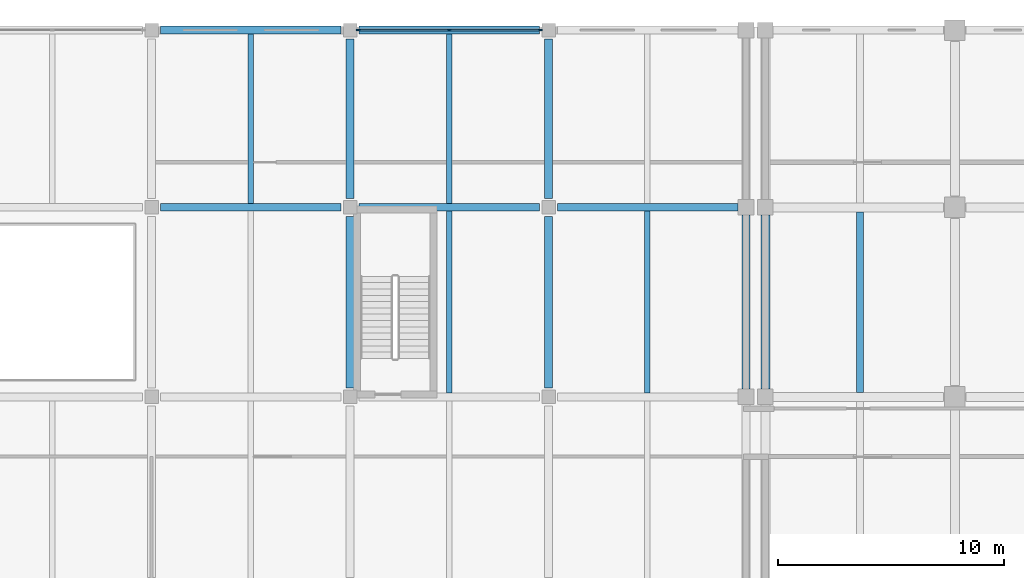
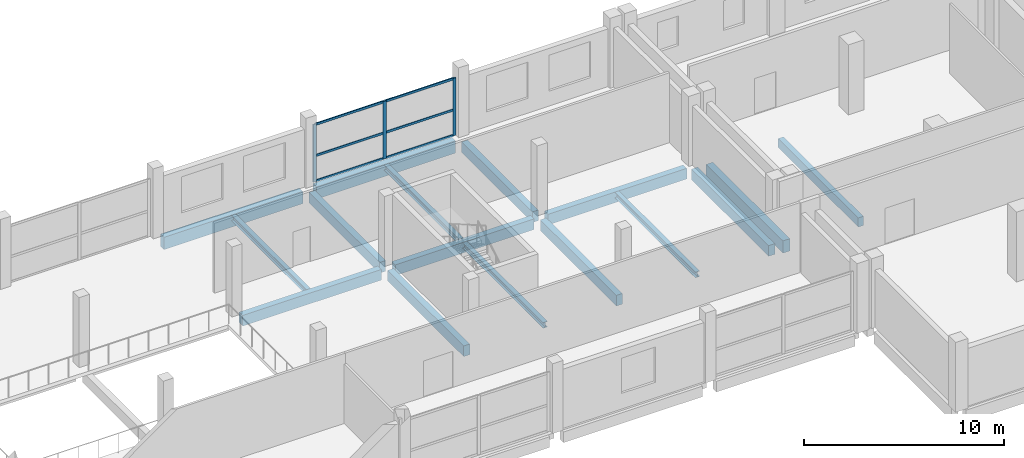
# One storey, part 12 of 38: 16 beams, 9 members, 1 element without a shape of its own.
"""IFC4 building model written with IfcOpenShell, lengths in metres."""

import ifcopenshell
import ifcopenshell.guid

model = None  # the IFC model being written
_history = None  # IfcOwnerHistory: only IFC2X3 demands one
_inside = {}  # id of a spatial element -> (the spatial element, [elements in it])
_under = {}  # id of a project, library or spatial element -> (it, [spatial elements below it])
_declared = {}  # id of a project -> (the project, [libraries it declares])
_typed = {}  # id of a type object -> (the type object, [elements of that type])
_made_of = {}  # id of a material, layer set ... -> (it, [elements and type objects made of it])


def new_model(schema):
    """Start an empty IFC model of exactly this schema.

    Asked for "IFC4X3", IfcOpenShell would pick the latest addendum, in which some entities
    have other attributes; the version numbers below select the first issue.
    IFC2X3 requires an IfcOwnerHistory on every rooted entity: one is made here for all.
    """
    global model, _history
    if schema == "IFC4X3":
        model = ifcopenshell.file(schema_version=(4, 3, 0, 0))
    else:
        model = ifcopenshell.file(schema=schema)
    _inside.clear()
    _under.clear()
    _declared.clear()
    _typed.clear()
    _made_of.clear()
    _history = None
    if model.schema == "IFC2X3":
        org = make("IfcOrganization", Name="unknown")
        user = make(
            "IfcPersonAndOrganization",
            ThePerson=make("IfcPerson", FamilyName="unknown"),
            TheOrganization=org,
        )
        app = make(
            "IfcApplication",
            ApplicationDeveloper=org,
            Version="unknown",
            ApplicationFullName="unknown",
            ApplicationIdentifier="unknown",
        )
        _history = make(
            "IfcOwnerHistory",
            OwningUser=user,
            OwningApplication=app,
            ChangeAction="ADDED",
            CreationDate=0,
        )
    return model


def make(cls, **values):
    """One entity of the class cls with the attributes given. An attribute that is None is left unset."""
    return model.create_entity(
        cls, **{name: value for name, value in values.items() if value is not None}
    )


def rooted(cls, **values):
    """An entity with a GlobalId (a new one), such as an element, a storey or a relation."""
    return make(cls, GlobalId=ifcopenshell.guid.new(), OwnerHistory=_history, **values)


def si_unit(unit_type, name, prefix=None):
    """IfcSIUnit, for example si_unit("LENGTHUNIT", "METRE", prefix="MILLI")."""
    return make("IfcSIUnit", UnitType=unit_type, Prefix=prefix, Name=name)


def assignment(units):
    """IfcUnitAssignment: the units of a project."""
    return None if units is None else make("IfcUnitAssignment", Units=units)


def point(xyz):
    """IfcCartesianPoint."""
    return None if xyz is None else make("IfcCartesianPoint", Coordinates=xyz)


def direction(xyz):
    """IfcDirection."""
    return None if xyz is None else make("IfcDirection", DirectionRatios=xyz)


def frame(location, z_axis=None, x_axis=None):
    """IfcAxis2Placement3D, a coordinate frame: its origin and axes. An axis left out is left unset."""
    return make(
        "IfcAxis2Placement3D",
        Location=point(location),
        Axis=direction(z_axis),
        RefDirection=direction(x_axis),
    )


def frame_2d(location, x_axis=None):
    """IfcAxis2Placement2D, a coordinate frame in the plane: its origin and x axis."""
    return make(
        "IfcAxis2Placement2D", Location=point(location), RefDirection=direction(x_axis)
    )


def origin():
    """The frame at (0, 0, 0) with its axes left unset."""
    return frame((0.0, 0.0, 0.0))


def origin_2d():
    """The frame at (0, 0) in the plane with its x axis left unset."""
    return frame_2d((0.0, 0.0))


def place(relative_to, where):
    """IfcLocalPlacement: puts the frame where relative to a parent placement (None: the world)."""
    return make(
        "IfcLocalPlacement", PlacementRelTo=relative_to, RelativePlacement=where
    )


def context(
    kind, dimensions, precision=None, world=None, true_north=None, identifier=None
):
    """IfcGeometricRepresentationContext, for example the 3D "Model" context."""
    return make(
        "IfcGeometricRepresentationContext",
        ContextIdentifier=identifier,
        ContextType=kind,
        CoordinateSpaceDimension=dimensions,
        Precision=precision,
        WorldCoordinateSystem=world,
        TrueNorth=true_north,
    )


def subcontext(parent, identifier, kind, view, scale=None):
    """IfcGeometricRepresentationSubContext, for example "Body" below "Model"."""
    return make(
        "IfcGeometricRepresentationSubContext",
        ContextIdentifier=identifier,
        ContextType=kind,
        ParentContext=parent,
        TargetScale=scale,
        TargetView=view,
    )


def project(units=None, contexts=None):
    """IfcProject with its units and contexts."""
    return rooted(
        "IfcProject",
        Name="project",
        RepresentationContexts=contexts,
        UnitsInContext=assignment(units),
    )


def spatial(cls, under=None, at=None, **own):
    """A site, building, storey or space (cls), placed at a placement, below another one or the project."""
    s = rooted(cls, ObjectPlacement=at, **own)
    if under is not None:
        _under.setdefault(under.id(), (under, []))[1].append(s)
    return s


def profile(cls, at=None, kind="AREA", **sizes):
    """A parametric profile (cls). Its sizes go by their IFC names, for example OverallWidth=200.0."""
    return make(cls, ProfileType=kind, Position=at, **sizes)


def rectangle(**sizes):
    """IfcRectangleProfileDef."""
    return profile("IfcRectangleProfileDef", **sizes)


def i_section(**sizes):
    """IfcIShapeProfileDef."""
    return profile("IfcIShapeProfileDef", **sizes)


def extrude(swept, where, along, depth):
    """IfcExtrudedAreaSolid: the profile swept, set in the frame where, extruded along a direction by depth."""
    return make(
        "IfcExtrudedAreaSolid",
        SweptArea=swept,
        Position=where,
        ExtrudedDirection=direction(along),
        Depth=depth,
    )


def shape(context_of_items, identifier, shape_type, items):
    """IfcShapeRepresentation: the items that make up one representation, for example the "Body"."""
    return make(
        "IfcShapeRepresentation",
        ContextOfItems=context_of_items,
        RepresentationIdentifier=identifier,
        RepresentationType=shape_type,
        Items=items,
    )


def material(Name=None, Category=None):
    """IfcMaterial."""
    return make("IfcMaterial", Name=Name, Category=Category)


def material_profile(
    of_material, cross_section, Name=None, Category=None, Priority=None
):
    """IfcMaterialProfile: a cross section and its material."""
    return make(
        "IfcMaterialProfile",
        Name=Name,
        Material=of_material,
        Profile=cross_section,
        Priority=Priority,
        Category=Category,
    )


def profile_set(profiles, Name=None, composite=None):
    """IfcMaterialProfileSet."""
    return make(
        "IfcMaterialProfileSet",
        Name=Name,
        MaterialProfiles=profiles,
        CompositeProfile=composite,
    )


def made_of(thing, what):
    """Note that an element or type object is made of a material, layer set ...; save() writes the relation."""
    if what is not None:
        _made_of.setdefault(what.id(), (what, []))[1].append(thing)
    return thing


def type_object(cls, material=None, **own):
    """A type object (cls), such as IfcWallType, which elements share."""
    return made_of(rooted(cls, **own), material)


def element(
    cls,
    number,
    at=None,
    inside=None,
    cuts=None,
    type_object=None,
    material=None,
    context=None,
    identifier="Body",
    shape_type=None,
    held_by="IfcProductDefinitionShape",
    body=None,
    shapes=None,
    **own,
):
    """One element of the class cls, such as IfcWall. Its Tag is "e" and its number.

    at: its placement. inside: the storey or other place that contains it. cuts: it is an
    opening in that element (IfcRelVoidsElement). A single representation is given by context,
    identifier, shape_type and body (its items); several are given by shapes. held_by: the class
    of the entity that holds the representations. save() writes the other relations.
    """
    e = rooted(cls, Tag="e%d" % number, ObjectPlacement=at, **own)
    if body is not None:
        shapes = [shape(context, identifier, shape_type, body)]
    if shapes is not None:
        e.Representation = make(held_by, Representations=shapes)
    if inside is not None:
        _inside.setdefault(inside.id(), (inside, []))[1].append(e)
    if cuts is not None:
        rooted(
            "IfcRelVoidsElement", RelatingBuildingElement=cuts, RelatedOpeningElement=e
        )
    if type_object is not None:
        _typed.setdefault(type_object.id(), (type_object, []))[1].append(e)
    return made_of(e, material)


def aggregate(whole, parts):
    """IfcRelAggregates: a whole, such as a stair, and the parts it consists of."""
    return rooted("IfcRelAggregates", RelatingObject=whole, RelatedObjects=parts)


def save(model, path):
    """Write the relations noted so far, then the file.

    IfcRelAggregates (storeys below a building ...), IfcRelContainedInSpatialStructure (elements
    in a storey), IfcRelDefinesByType, IfcRelAssociatesMaterial and IfcRelDeclares: one each for
    every whole, place, type object, material and project.
    """
    for whole, parts in _under.values():
        aggregate(whole, parts)
    for where, things in _inside.values():
        rooted(
            "IfcRelContainedInSpatialStructure",
            RelatedElements=things,
            RelatingStructure=where,
        )
    for kind, things in _typed.values():
        rooted("IfcRelDefinesByType", RelatedObjects=things, RelatingType=kind)
    for what, things in _made_of.values():
        rooted("IfcRelAssociatesMaterial", RelatedObjects=things, RelatingMaterial=what)
    for by, libraries in _declared.values():
        rooted("IfcRelDeclares", RelatingContext=by, RelatedDefinitions=libraries)
    model.write(path)


model = new_model("IFC4")

# Units and contexts
model_context = context("Model", 3, precision=1e-05, world=origin(), true_north=direction((0.0, 1.0)))
body_context = subcontext(model_context, "Body", "Model", "MODEL_VIEW")
ifc_project = project(units=[si_unit("LENGTHUNIT", "METRE"), si_unit("AREAUNIT", "SQUARE_METRE"), si_unit("VOLUMEUNIT", "CUBIC_METRE"), si_unit("PLANEANGLEUNIT", "RADIAN"), si_unit("MASSUNIT", "GRAM", prefix="KILO")], contexts=[model_context])

# Site, building, storey
site_placement = place(None, origin())
site = spatial("IfcSite", under=ifc_project, at=site_placement, CompositionType="ELEMENT")
building_placement = place(site_placement, origin())
building = spatial("IfcBuilding", under=site, at=building_placement, Name="Brinegate Botanical Conservatory", CompositionType="ELEMENT")
storey_placement = place(building_placement, frame((0.0, 0.0, 10.199951171875)))
storey = spatial("IfcBuildingStorey", under=building, at=storey_placement, Name="L03", CompositionType="ELEMENT", Elevation=10.199951171875)

# Beams
ifc_material_1 = material(Name="Concrete C50/60", Category="concrete")
ifc_material_profile_1 = material_profile(ifc_material_1, rectangle(XDim=0.39990234375, YDim=0.75, at=origin_2d()), Name="RC BM 400x750")
ifc_profile_set_1 = profile_set([ifc_material_profile_1], Name="Concrete C50/60")
beam_type_1 = type_object("IfcBeamType", Name="Beam_BM-T1", PredefinedType="BEAM", material=ifc_profile_set_1)
beam_1_placement = place(storey_placement, frame((122.0, 95.550048828125, -0.594970703125), z_axis=(0.0, 1.0, 0.0), x_axis=(-1.0, 0.0, 0.0)))
element("IfcBeam", 1, at=beam_1_placement, inside=storey, type_object=beam_type_1, Name="Beam BM-T1 L03 16:M-N", PredefinedType="BEAM", context=body_context, shape_type="SweptSolid", body=[
    extrude(rectangle(XDim=0.39990234375, YDim=0.75, at=origin_2d()), origin(), (0.0, 0.0, 1.0), 7.699951171875),
])
ifc_material_2 = material(Name="Concrete C40/50", Category="concrete")
ifc_material_profile_2 = material_profile(ifc_material_2, rectangle(XDim=0.35009765625, YDim=0.64990234375, at=origin_2d()), Name="RC BM 350x650")
ifc_profile_set_2 = profile_set([ifc_material_profile_2], Name="Concrete C40/50")
beam_type_2 = type_object("IfcBeamType", Name="Beam_BM-V3", PredefinedType="BEAM", material=ifc_profile_set_2)
for number, where, z_axis, x_axis, name in (
    (2, (95.199951171875, 103.60009765625, -0.544921875), (1.0, 0.0, 0.0), (0.0, 1.0, 0.0), "Beam BM-V3 L03 N:12-13"),
    (3, (104.0, 103.60009765625, -0.544921875), (1.0, 0.0, 0.0), (0.0, 1.0, 0.0), "Beam BM-V3 L03 N:13-14"),
    (4, (112.800048828125, 103.60009765625, -0.544921875), (1.0, 0.0, 0.0), (0.0, 1.0, 0.0), "Beam BM-V3 L03 N:14-15"),
):
    element("IfcBeam", number, at=place(storey_placement, frame(where, z_axis=z_axis, x_axis=x_axis)), inside=storey, type_object=beam_type_2, Name=name, PredefinedType="BEAM", context=body_context, shape_type="SweptSolid", body=[
        extrude(rectangle(XDim=0.35009765625, YDim=0.64990234375, at=origin_2d()), origin(), (0.0, 0.0, 1.0), 8.0),
    ])
beam_2_placement = place(storey_placement, frame((103.60009765625, 95.60009765625, -0.544921875), z_axis=(0.0, 1.0, 0.0), x_axis=(-1.0, 0.0, 0.0)))
element("IfcBeam", 5, at=beam_2_placement, inside=storey, type_object=beam_type_2, Name="Beam BM-V3 L03 13:M-N", PredefinedType="BEAM", context=body_context, shape_type="SweptSolid", body=[
    extrude(rectangle(XDim=0.35009765625, YDim=0.64990234375, at=origin_2d()), origin(), (0.0, 0.0, 1.0), 7.599853515625),
])
beam_3_placement = place(storey_placement, frame((103.60009765625, 104.0, -0.544921875), z_axis=(0.0, 1.0, 0.0), x_axis=(-1.0, 0.0, 0.0)))
element("IfcBeam", 6, at=beam_3_placement, inside=storey, type_object=beam_type_2, Name="Beam BM-V3 L03 13:N-P", PredefinedType="BEAM", context=body_context, shape_type="SweptSolid", body=[
    extrude(rectangle(XDim=0.35009765625, YDim=0.64990234375, at=origin_2d()), origin(), (0.0, 0.0, 1.0), 7.050048828125),
])
beam_4_placement = place(storey_placement, frame((112.39990234375, 95.60009765625, -0.544921875), z_axis=(0.0, 1.0, 0.0), x_axis=(-1.0, 0.0, 0.0)))
element("IfcBeam", 7, at=beam_4_placement, inside=storey, type_object=beam_type_2, Name="Beam BM-V3 L03 14:M-N", PredefinedType="BEAM", context=body_context, shape_type="SweptSolid", body=[
    extrude(rectangle(XDim=0.35009765625, YDim=0.64990234375, at=origin_2d()), origin(), (0.0, 0.0, 1.0), 7.599853515625),
])
beam_5_placement = place(storey_placement, frame((112.39990234375, 104.0, -0.544921875), z_axis=(0.0, 1.0, 0.0), x_axis=(-1.0, 0.0, 0.0)))
element("IfcBeam", 8, at=beam_5_placement, inside=storey, type_object=beam_type_2, Name="Beam BM-V3 L03 14:N-P", PredefinedType="BEAM", context=body_context, shape_type="SweptSolid", body=[
    extrude(rectangle(XDim=0.35009765625, YDim=0.64990234375, at=origin_2d()), origin(), (0.0, 0.0, 1.0), 7.050048828125),
])
beam_6_placement = place(storey_placement, frame((121.14990234375, 95.550048828125, -0.544921875), z_axis=(0.0, 1.0, 0.0), x_axis=(-1.0, 0.0, 0.0)))
element("IfcBeam", 9, at=beam_6_placement, inside=storey, type_object=beam_type_2, Name="Beam BM-V3 L03 15:M-N", PredefinedType="BEAM", context=body_context, shape_type="SweptSolid", body=[
    extrude(rectangle(XDim=0.35009765625, YDim=0.64990234375, at=origin_2d()), origin(), (0.0, 0.0, 1.0), 7.699951171875),
])
ifc_material_profile_3 = material_profile(ifc_material_2, rectangle(XDim=0.300048828125, YDim=0.550048828125, at=origin_2d()), Name="RC JST 300x550")
ifc_profile_set_3 = profile_set([ifc_material_profile_3], Name="Concrete C40/50")
beam_type_3 = type_object("IfcBeamType", Name="Beam_JS-C1", PredefinedType="JOIST", material=ifc_profile_set_3)
beam_7_placement = place(storey_placement, frame((126.199951171875, 95.39990234375, -0.494873046875), z_axis=(0.0, 1.0, 0.0), x_axis=(-1.0, 0.0, 0.0)))
element("IfcBeam", 10, at=beam_7_placement, inside=storey, type_object=beam_type_3, Name="Floor joist JS-C1 L03 bay 16.12", PredefinedType="JOIST", context=body_context, shape_type="SweptSolid", body=[
    extrude(rectangle(XDim=0.300048828125, YDim=0.550048828125, at=origin_2d()), origin(), (0.0, 0.0, 1.0), 8.0),
])
ifc_material_3 = material(Name="Structural steel Q355B / S355", Category="steel")
ifc_material_profile_4 = material_profile(ifc_material_3, i_section(OverallWidth=0.25, OverallDepth=0.340087890625, WebThickness=0.009033203125, FlangeThickness=0.013916015625, at=origin_2d()), Name="HM 340x250x9x14")
ifc_profile_set_4 = profile_set([ifc_material_profile_4], Name="Structural steel Q355B / S355")
beam_type_4 = type_object("IfcBeamType", Name="Beam_JS-S5", PredefinedType="JOIST", material=ifc_profile_set_4)
beam_8_placement = place(storey_placement, frame((99.199951171875, 103.77490234375, -0.389892578125), z_axis=(0.0, 1.0, 0.0), x_axis=(-1.0, 0.0, 0.0)))
element("IfcBeam", 11, at=beam_8_placement, inside=storey, type_object=beam_type_4, Name="Floor joist JS-S5 L03 bay 12.13", PredefinedType="JOIST", context=body_context, shape_type="SweptSolid", body=[
    extrude(i_section(OverallWidth=0.25, OverallDepth=0.340087890625, WebThickness=0.009033203125, FlangeThickness=0.013916015625, at=origin_2d()), origin(), (0.0, 0.0, 1.0), 7.5),
])
beam_9_placement = place(storey_placement, frame((108.0, 95.375, -0.389892578125), z_axis=(0.0, 1.0, 0.0), x_axis=(-1.0, 0.0, 0.0)))
element("IfcBeam", 12, at=beam_9_placement, inside=storey, type_object=beam_type_4, Name="Floor joist JS-S5 L03 bay 13.12", PredefinedType="JOIST", context=body_context, shape_type="SweptSolid", body=[
    extrude(i_section(OverallWidth=0.25, OverallDepth=0.340087890625, WebThickness=0.009033203125, FlangeThickness=0.013916015625, at=origin_2d()), origin(), (0.0, 0.0, 1.0), 8.050048828125),
])
beam_10_placement = place(storey_placement, frame((108.0, 103.77490234375, -0.389892578125), z_axis=(0.0, 1.0, 0.0), x_axis=(-1.0, 0.0, 0.0)))
element("IfcBeam", 13, at=beam_10_placement, inside=storey, type_object=beam_type_4, Name="Floor joist JS-S5 L03 bay 13.13", PredefinedType="JOIST", context=body_context, shape_type="SweptSolid", body=[
    extrude(i_section(OverallWidth=0.25, OverallDepth=0.340087890625, WebThickness=0.009033203125, FlangeThickness=0.013916015625, at=origin_2d()), origin(), (0.0, 0.0, 1.0), 7.5),
])
beam_11_placement = place(storey_placement, frame((116.77490234375, 95.375, -0.389892578125), z_axis=(0.0, 1.0, 0.0), x_axis=(-1.0, 0.0, 0.0)))
element("IfcBeam", 14, at=beam_11_placement, inside=storey, type_object=beam_type_4, Name="Floor joist JS-S5 L03 bay 14.12", PredefinedType="JOIST", context=body_context, shape_type="SweptSolid", body=[
    extrude(i_section(OverallWidth=0.25, OverallDepth=0.340087890625, WebThickness=0.009033203125, FlangeThickness=0.013916015625, at=origin_2d()), origin(), (0.0, 0.0, 1.0), 8.050048828125),
])
ifc_material_profile_5 = material_profile(ifc_material_2, rectangle(XDim=0.35009765625, YDim=0.75, at=origin_2d()), Name="RC SPN 350x750")
ifc_profile_set_5 = profile_set([ifc_material_profile_5], Name="Concrete C40/50")
beam_type_5 = type_object("IfcBeamType", Name="Beam_SP-01", PredefinedType="SPANDREL", material=ifc_profile_set_5)
for number, where, z_axis, x_axis, name in (
    (15, (95.199951171875, 111.449951171875, -0.594970703125), (1.0, 0.0, 0.0), (0.0, 1.0, 0.0), "Beam SP-01 L03 P:12-13"),
    (16, (104.0, 111.449951171875, -0.594970703125), (1.0, 0.0, 0.0), (0.0, 1.0, 0.0), "Beam SP-01 L03 P:13-14"),
):
    element("IfcBeam", number, at=place(storey_placement, frame(where, z_axis=z_axis, x_axis=x_axis)), inside=storey, type_object=beam_type_5, Name=name, PredefinedType="SPANDREL", context=body_context, shape_type="SweptSolid", body=[
        extrude(rectangle(XDim=0.35009765625, YDim=0.75, at=origin_2d()), origin(), (0.0, 0.0, 1.0), 8.0),
    ])

# Curtain wall, members
ifc_material_4 = material(Name="Thermally broken anodised aluminium AW-6063-T6", Category="aluminium")
curtain_wall_type = type_object("IfcCurtainWallType", Name="CW_CW-V3", PredefinedType="USERDEFINED", material=ifc_material_4)
curtain_wall_placement = place(storey_placement, origin())
curtain_wall = element("IfcCurtainWall", 17, at=curtain_wall_placement, inside=storey, type_object=curtain_wall_type, Name="Visitor north factory curtain wall L03.7", ObjectType="FACTORY CURTAIN WALL", PredefinedType="USERDEFINED")
ifc_material_profile_6 = material_profile(ifc_material_4, rectangle(XDim=0.06494140625, YDim=0.179931640625, at=origin_2d()), Name="ALUM MULLION 65x180")
ifc_profile_set_6 = profile_set([ifc_material_profile_6], Name="Thermally broken anodised aluminium AW-6063-T6")
member_type_1 = type_object("IfcMemberType", Name="Member_ML-02", PredefinedType="MULLION", material=ifc_profile_set_6)
member_1_placement = place(storey_placement, frame((103.972412109375, 111.449951171875, 0.0), z_axis=(0.0, 0.0, 1.0), x_axis=(0.0, 1.0, 0.0)))
member_1 = element("IfcMember", 18, at=member_1_placement, type_object=member_type_1, Name="CW-V3 mullion 1", PredefinedType="MULLION", context=body_context, shape_type="SweptSolid", body=[
    extrude(rectangle(XDim=0.06494140625, YDim=0.179931640625, at=origin_2d()), origin(), (0.0, 0.0, 1.0), 3.510009765625),
])
member_2_placement = place(storey_placement, frame((108.0, 111.449951171875, 0.0), z_axis=(0.0, 0.0, 1.0), x_axis=(0.0, 1.0, 0.0)))
member_2 = element("IfcMember", 19, at=member_2_placement, type_object=member_type_1, Name="CW-V3 mullion 2", PredefinedType="MULLION", context=body_context, shape_type="SweptSolid", body=[
    extrude(rectangle(XDim=0.06494140625, YDim=0.179931640625, at=origin_2d()), origin(), (0.0, 0.0, 1.0), 3.510009765625),
])
member_3_placement = place(storey_placement, frame((112.027587890625, 111.449951171875, 0.0), z_axis=(0.0, 0.0, 1.0), x_axis=(0.0, 1.0, 0.0)))
member_3 = element("IfcMember", 20, at=member_3_placement, type_object=member_type_1, Name="CW-V3 mullion 3", PredefinedType="MULLION", context=body_context, shape_type="SweptSolid", body=[
    extrude(rectangle(XDim=0.06494140625, YDim=0.179931640625, at=origin_2d()), origin(), (0.0, 0.0, 1.0), 3.510009765625),
])
ifc_material_profile_7 = material_profile(ifc_material_4, rectangle(XDim=0.06494140625, YDim=0.135009765625, at=origin_2d()), Name="ALUM TRANSOM 65x135")
ifc_profile_set_7 = profile_set([ifc_material_profile_7], Name="Thermally broken anodised aluminium AW-6063-T6")
member_type_2 = type_object("IfcMemberType", Name="Member_TR-02", PredefinedType="USERDEFINED", material=ifc_profile_set_7)
member_4_placement = place(storey_placement, frame((104.0048828125, 111.449951171875, 0.032470703125), z_axis=(1.0, 0.0, 0.0), x_axis=(0.0, 1.0, 0.0)))
member_4 = element("IfcMember", 21, at=member_4_placement, type_object=member_type_2, Name="CW-V3 transom 1.1", ObjectType="TRANSOM", PredefinedType="USERDEFINED", context=body_context, shape_type="SweptSolid", body=[
    extrude(rectangle(XDim=0.06494140625, YDim=0.135009765625, at=origin_2d()), origin(), (0.0, 0.0, 1.0), 3.962646484375),
])
member_5_placement = place(storey_placement, frame((104.0048828125, 111.449951171875, 1.580078125), z_axis=(1.0, 0.0, 0.0), x_axis=(0.0, 1.0, 0.0)))
member_5 = element("IfcMember", 22, at=member_5_placement, type_object=member_type_2, Name="CW-V3 transom 1.2", ObjectType="TRANSOM", PredefinedType="USERDEFINED", context=body_context, shape_type="SweptSolid", body=[
    extrude(rectangle(XDim=0.06494140625, YDim=0.135009765625, at=origin_2d()), origin(), (0.0, 0.0, 1.0), 3.962646484375),
])
member_6_placement = place(storey_placement, frame((104.0048828125, 111.449951171875, 3.4775390625), z_axis=(1.0, 0.0, 0.0), x_axis=(0.0, 1.0, 0.0)))
member_6 = element("IfcMember", 23, at=member_6_placement, type_object=member_type_2, Name="CW-V3 transom 1.3", ObjectType="TRANSOM", PredefinedType="USERDEFINED", context=body_context, shape_type="SweptSolid", body=[
    extrude(rectangle(XDim=0.06494140625, YDim=0.135009765625, at=origin_2d()), origin(), (0.0, 0.0, 1.0), 3.962646484375),
])
member_7_placement = place(storey_placement, frame((108.032470703125, 111.449951171875, 0.032470703125), z_axis=(1.0, 0.0, 0.0), x_axis=(0.0, 1.0, 0.0)))
member_7 = element("IfcMember", 24, at=member_7_placement, type_object=member_type_2, Name="CW-V3 transom 2.1", ObjectType="TRANSOM", PredefinedType="USERDEFINED", context=body_context, shape_type="SweptSolid", body=[
    extrude(rectangle(XDim=0.06494140625, YDim=0.135009765625, at=origin_2d()), origin(), (0.0, 0.0, 1.0), 3.962646484375),
])
member_8_placement = place(storey_placement, frame((108.032470703125, 111.449951171875, 1.580078125), z_axis=(1.0, 0.0, 0.0), x_axis=(0.0, 1.0, 0.0)))
member_8 = element("IfcMember", 25, at=member_8_placement, type_object=member_type_2, Name="CW-V3 transom 2.2", ObjectType="TRANSOM", PredefinedType="USERDEFINED", context=body_context, shape_type="SweptSolid", body=[
    extrude(rectangle(XDim=0.06494140625, YDim=0.135009765625, at=origin_2d()), origin(), (0.0, 0.0, 1.0), 3.962646484375),
])
member_9_placement = place(storey_placement, frame((108.032470703125, 111.449951171875, 3.4775390625), z_axis=(1.0, 0.0, 0.0), x_axis=(0.0, 1.0, 0.0)))
member_9 = element("IfcMember", 26, at=member_9_placement, type_object=member_type_2, Name="CW-V3 transom 2.3", ObjectType="TRANSOM", PredefinedType="USERDEFINED", context=body_context, shape_type="SweptSolid", body=[
    extrude(rectangle(XDim=0.06494140625, YDim=0.135009765625, at=origin_2d()), origin(), (0.0, 0.0, 1.0), 3.962646484375),
])
aggregate(curtain_wall, [member_1, member_2, member_3, member_4, member_5, member_6, member_7, member_8, member_9])

save(model, "model.ifc")
